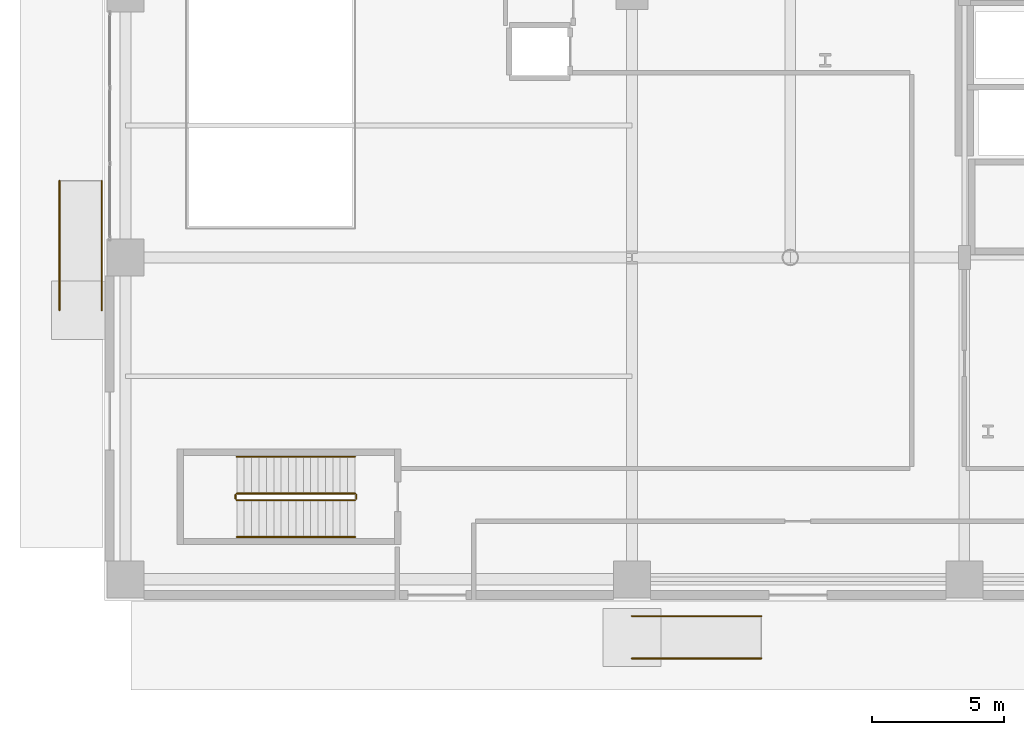
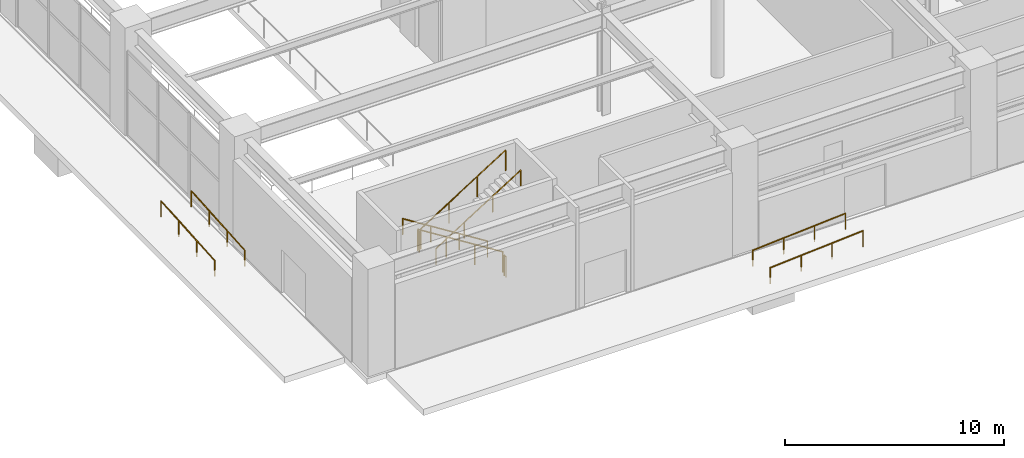
# One storey, part 25 of 31: 10 railings.
"""IFC4 building model written with IfcOpenShell, lengths in metres."""

from ifc_helpers import new_model, si_unit, direction, frame, origin, origin_2d, place, context, subcontext, project, spatial, circle, extrude, material, type_object, element, save


model = new_model("IFC4")

# Units and contexts
model_context = context("Model", 3, precision=1e-05, world=origin(), true_north=direction((0.0, 1.0)))
body_context = subcontext(model_context, "Body", "Model", "MODEL_VIEW")
ifc_project = project(units=[si_unit("LENGTHUNIT", "METRE"), si_unit("AREAUNIT", "SQUARE_METRE"), si_unit("VOLUMEUNIT", "CUBIC_METRE"), si_unit("PLANEANGLEUNIT", "RADIAN"), si_unit("MASSUNIT", "GRAM", prefix="KILO")], contexts=[model_context])

# Site, building, storey
site_placement = place(None, origin())
site = spatial("IfcSite", under=ifc_project, at=site_placement, CompositionType="ELEMENT")
building_placement = place(site_placement, origin())
building = spatial("IfcBuilding", under=site, at=building_placement, Name="Soratama Intermodal Tower", CompositionType="ELEMENT")
storey_placement = place(building_placement, origin())
storey = spatial("IfcBuildingStorey", under=building, at=storey_placement, Name="L00", CompositionType="ELEMENT", Elevation=0.0)

# Railings
ifc_material_1 = material(Name="Painted steel stair guardrail", Category="steel")
railing_type_1 = type_object("IfcRailingType", Name="RL-STAIR-GUARD", PredefinedType="GUARDRAIL", material=ifc_material_1)
railing_1_placement = place(storey_placement, frame((9.5, 6.050048828125, 0.176513671875)))
element("IfcRailing", 1, at=railing_1_placement, inside=storey, type_object=railing_type_1, Name="L00 ST-3 stair guard 1", PredefinedType="GUARDRAIL", context=body_context, shape_type="SweptSolid", body=[
    extrude(circle(Radius=0.02392578125, at=origin_2d()), frame((0.0, 0.0, 1.1259765625), z_axis=(-0.845997938375, 0.0, 0.533186166611), x_axis=(0.0, -1.0, 0.0)), (0.0, 0.0, 1.0), 5.29541015625),
    extrude(circle(Radius=0.02099609375, at=origin_2d()), origin(), (0.0, 0.0, 1.0), 1.101806640625),
    extrude(circle(Radius=0.02099609375, at=origin_2d()), frame((-1.493408203125, 0.0, 0.941162109375)), (0.0, 0.0, 1.0), 1.101806640625),
    extrude(circle(Radius=0.02099609375, at=origin_2d()), frame((-2.986572265625, 0.0, 1.88232421875)), (0.0, 0.0, 1.0), 1.101806640625),
    extrude(circle(Radius=0.02099609375, at=origin_2d()), frame((-4.47998046875, 0.0, 2.823486328125)), (0.0, 0.0, 1.0), 1.101806640625),
])
railing_2_placement = place(storey_placement, frame((4.969970703125, 6.0, 3.0)))
element("IfcRailing", 2, at=railing_2_placement, inside=storey, type_object=railing_type_1, Name="L00 ST-3 stair guard 2", PredefinedType="GUARDRAIL", context=body_context, shape_type="SweptSolid", body=[
    extrude(circle(Radius=0.02392578125, at=origin_2d()), frame((0.0, 0.0, 1.1259765625), z_axis=(0.0, -1.0, 0.0), x_axis=(1.0, 0.0, 0.0)), (0.0, 0.0, 1.0), 0.14990234375),
    extrude(circle(Radius=0.02099609375, at=origin_2d()), origin(), (0.0, 0.0, 1.0), 1.101806640625),
    extrude(circle(Radius=0.02099609375, at=origin_2d()), frame((0.0, -0.14990234375, 0.0)), (0.0, 0.0, 1.0), 1.101806640625),
])
railing_3_placement = place(storey_placement, frame((5.02001953125, 5.800048828125, 3.176513671875)))
element("IfcRailing", 3, at=railing_3_placement, inside=storey, type_object=railing_type_1, Name="L00 ST-3 stair guard 3", PredefinedType="GUARDRAIL", context=body_context, shape_type="SweptSolid", body=[
    extrude(circle(Radius=0.02392578125, at=origin_2d()), frame((0.0, 0.0, 1.1259765625), z_axis=(0.845997938375, 0.0, 0.533186166611), x_axis=(0.0, 1.0, 0.0)), (0.0, 0.0, 1.0), 5.29541015625),
    extrude(circle(Radius=0.02099609375, at=origin_2d()), origin(), (0.0, 0.0, 1.0), 1.101806640625),
    extrude(circle(Radius=0.02099609375, at=origin_2d()), frame((1.493408203125, 0.0, 0.941162109375)), (0.0, 0.0, 1.0), 1.101806640625),
    extrude(circle(Radius=0.02099609375, at=origin_2d()), frame((2.986572265625, 0.0, 1.88232421875)), (0.0, 0.0, 1.0), 1.101806640625),
    extrude(circle(Radius=0.02099609375, at=origin_2d()), frame((4.47998046875, 0.0, 2.823486328125)), (0.0, 0.0, 1.0), 1.101806640625),
])
railing_4_placement = place(storey_placement, frame((9.550048828125, 6.0, 0.0)))
element("IfcRailing", 4, at=railing_4_placement, inside=storey, type_object=railing_type_1, Name="L00 ST-3 stair guard 4", PredefinedType="GUARDRAIL", context=body_context, shape_type="SweptSolid", body=[
    extrude(circle(Radius=0.02392578125, at=origin_2d()), frame((0.0, 0.0, 1.1259765625), z_axis=(0.0, -1.0, 0.0), x_axis=(1.0, 0.0, 0.0)), (0.0, 0.0, 1.0), 0.14990234375),
    extrude(circle(Radius=0.02099609375, at=origin_2d()), origin(), (0.0, 0.0, 1.0), 1.101806640625),
    extrude(circle(Radius=0.02099609375, at=origin_2d()), frame((0.0, -0.14990234375, 0.0)), (0.0, 0.0, 1.0), 1.101806640625),
])
ifc_material_2 = material(Name="Brushed stainless steel handrail", Category="steel")
railing_type_2 = type_object("IfcRailingType", Name="RL-STAIR-HAND", PredefinedType="HANDRAIL", material=ifc_material_2)
railing_5_placement = place(storey_placement, frame((9.5, 7.449951171875, 0.176513671875)))
element("IfcRailing", 5, at=railing_5_placement, inside=storey, type_object=railing_type_2, Name="L00 ST-3 stair handrail 1", PredefinedType="HANDRAIL", context=body_context, shape_type="SweptSolid", body=[
    extrude(circle(Radius=0.02392578125, at=origin_2d()), frame((0.0, 0.0, 0.8759765625), z_axis=(-0.845997938375, 0.0, 0.533186166611), x_axis=(0.0, -1.0, 0.0)), (0.0, 0.0, 1.0), 5.29541015625),
    extrude(circle(Radius=0.02099609375, at=origin_2d()), origin(), (0.0, 0.0, 1.0), 0.851806640625),
    extrude(circle(Radius=0.02099609375, at=origin_2d()), frame((-1.493408203125, 0.0, 0.941162109375)), (0.0, 0.0, 1.0), 0.851806640625),
    extrude(circle(Radius=0.02099609375, at=origin_2d()), frame((-2.986572265625, 0.0, 1.88232421875)), (0.0, 0.0, 1.0), 0.851806640625),
    extrude(circle(Radius=0.02099609375, at=origin_2d()), frame((-4.47998046875, 0.0, 2.823486328125)), (0.0, 0.0, 1.0), 0.851806640625),
])
railing_6_placement = place(storey_placement, frame((5.02001953125, 4.39990234375, 3.176513671875)))
element("IfcRailing", 6, at=railing_6_placement, inside=storey, type_object=railing_type_2, Name="L00 ST-3 stair handrail 2", PredefinedType="HANDRAIL", context=body_context, shape_type="SweptSolid", body=[
    extrude(circle(Radius=0.02392578125, at=origin_2d()), frame((0.0, 0.0, 0.8759765625), z_axis=(0.845997938375, 0.0, 0.533186166611), x_axis=(0.0, 1.0, 0.0)), (0.0, 0.0, 1.0), 5.29541015625),
    extrude(circle(Radius=0.02099609375, at=origin_2d()), origin(), (0.0, 0.0, 1.0), 0.851806640625),
    extrude(circle(Radius=0.02099609375, at=origin_2d()), frame((1.493408203125, 0.0, 0.941162109375)), (0.0, 0.0, 1.0), 0.851806640625),
    extrude(circle(Radius=0.02099609375, at=origin_2d()), frame((2.986572265625, 0.0, 1.88232421875)), (0.0, 0.0, 1.0), 0.851806640625),
    extrude(circle(Radius=0.02099609375, at=origin_2d()), frame((4.47998046875, 0.0, 2.823486328125)), (0.0, 0.0, 1.0), 0.851806640625),
])
for number, where, name in (
    (7, (20.0, -0.199951171875, -0.35009765625), "L00 Accessible Ramp Handrail S1 A"),
    (8, (20.0, 1.39990234375, -0.35009765625), "L00 Accessible Ramp Handrail S1 B"),
):
    element("IfcRailing", number, at=place(storey_placement, frame(where)), inside=storey, type_object=railing_type_2, Name=name, PredefinedType="HANDRAIL", context=body_context, shape_type="SweptSolid", body=[
        extrude(circle(Radius=0.02392578125, at=origin_2d()), frame((0.0, 0.0, 0.8759765625), z_axis=(0.997457185933, 0.0, 0.071268241387), x_axis=(0.0, 1.0, 0.0)), (0.0, 0.0, 1.0), 4.912353515625),
        extrude(circle(Radius=0.02099609375, at=origin_2d()), origin(), (0.0, 0.0, 1.0), 0.851806640625),
        extrude(circle(Radius=0.02099609375, at=origin_2d()), frame((1.63330078125, 0.0, 0.11669921875)), (0.0, 0.0, 1.0), 0.851806640625),
        extrude(circle(Radius=0.02099609375, at=origin_2d()), frame((3.2666015625, 0.0, 0.2333984375)), (0.0, 0.0, 1.0), 0.851806640625),
        extrude(circle(Radius=0.02099609375, at=origin_2d()), frame((4.89990234375, 0.0, 0.35009765625)), (0.0, 0.0, 1.0), 0.851806640625),
    ])
for number, where, name in (
    (9, (-1.699951171875, 13.0, -0.35009765625), "L00 Accessible Ramp Handrail W1 A"),
    (10, (-0.10009765625, 13.0, -0.35009765625), "L00 Accessible Ramp Handrail W1 B"),
):
    element("IfcRailing", number, at=place(storey_placement, frame(where)), inside=storey, type_object=railing_type_2, Name=name, PredefinedType="HANDRAIL", context=body_context, shape_type="SweptSolid", body=[
        extrude(circle(Radius=0.02392578125, at=origin_2d()), frame((0.0, 0.0, 0.8759765625), z_axis=(0.0, 0.997457185933, 0.071268241387), x_axis=(-1.0, 0.0, 0.0)), (0.0, 0.0, 1.0), 4.912353515625),
        extrude(circle(Radius=0.02099609375, at=origin_2d()), origin(), (0.0, 0.0, 1.0), 0.851806640625),
        extrude(circle(Radius=0.02099609375, at=origin_2d()), frame((0.0, 1.63330078125, 0.11669921875)), (0.0, 0.0, 1.0), 0.851806640625),
        extrude(circle(Radius=0.02099609375, at=origin_2d()), frame((0.0, 3.2666015625, 0.2333984375)), (0.0, 0.0, 1.0), 0.851806640625),
        extrude(circle(Radius=0.02099609375, at=origin_2d()), frame((0.0, 4.89990234375, 0.35009765625)), (0.0, 0.0, 1.0), 0.851806640625),
    ])

save(model, "model.ifc")
